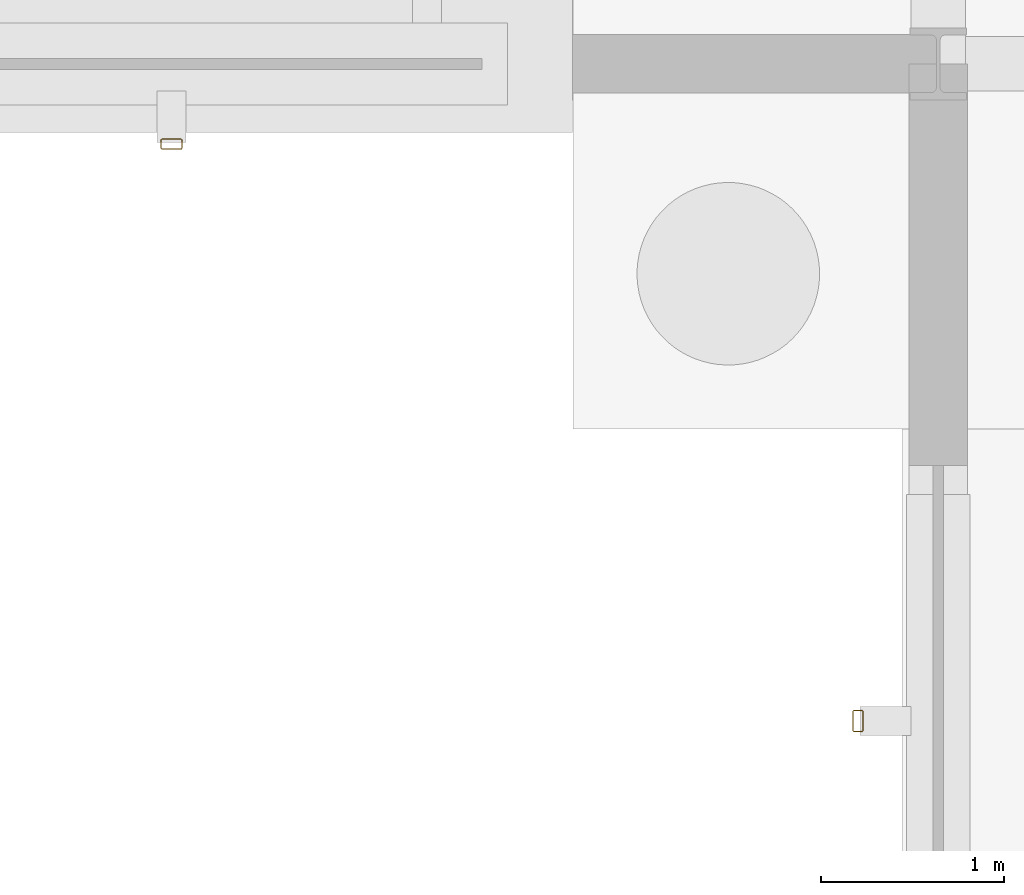
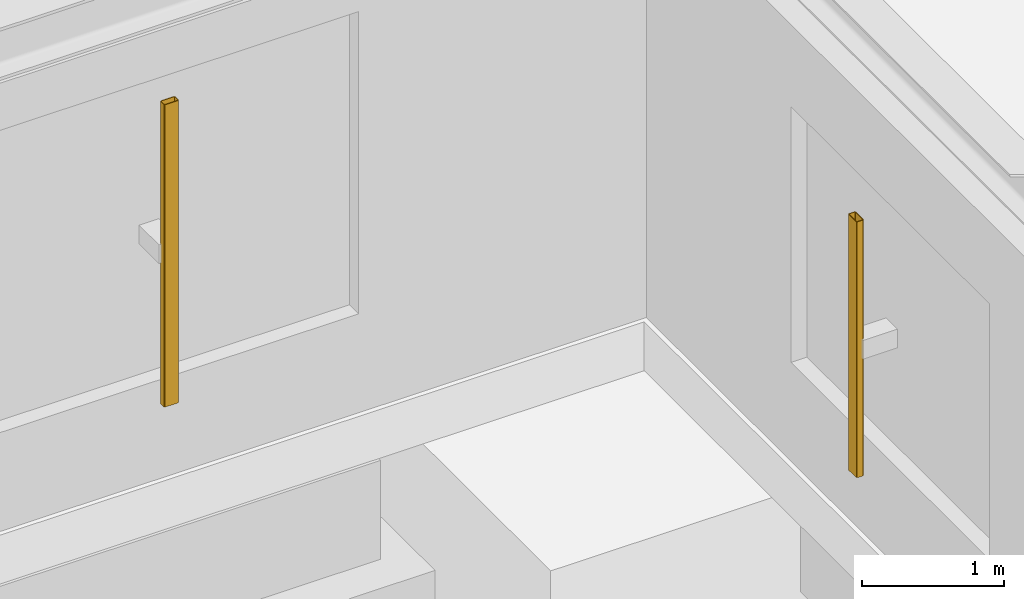
# One storey, part 91 of 93: 2 shading devices.
"""IFC4 building model written with IfcOpenShell, lengths in metres."""

import ifcopenshell
import ifcopenshell.guid

model = None  # the IFC model being written
_history = None  # IfcOwnerHistory: only IFC2X3 demands one
_inside = {}  # id of a spatial element -> (the spatial element, [elements in it])
_under = {}  # id of a project, library or spatial element -> (it, [spatial elements below it])
_declared = {}  # id of a project -> (the project, [libraries it declares])
_typed = {}  # id of a type object -> (the type object, [elements of that type])
_made_of = {}  # id of a material, layer set ... -> (it, [elements and type objects made of it])


def new_model(schema):
    """Start an empty IFC model of exactly this schema.

    Asked for "IFC4X3", IfcOpenShell would pick the latest addendum, in which some entities
    have other attributes; the version numbers below select the first issue.
    IFC2X3 requires an IfcOwnerHistory on every rooted entity: one is made here for all.
    """
    global model, _history
    if schema == "IFC4X3":
        model = ifcopenshell.file(schema_version=(4, 3, 0, 0))
    else:
        model = ifcopenshell.file(schema=schema)
    _inside.clear()
    _under.clear()
    _declared.clear()
    _typed.clear()
    _made_of.clear()
    _history = None
    if model.schema == "IFC2X3":
        org = make("IfcOrganization", Name="unknown")
        user = make(
            "IfcPersonAndOrganization",
            ThePerson=make("IfcPerson", FamilyName="unknown"),
            TheOrganization=org,
        )
        app = make(
            "IfcApplication",
            ApplicationDeveloper=org,
            Version="unknown",
            ApplicationFullName="unknown",
            ApplicationIdentifier="unknown",
        )
        _history = make(
            "IfcOwnerHistory",
            OwningUser=user,
            OwningApplication=app,
            ChangeAction="ADDED",
            CreationDate=0,
        )
    return model


def make(cls, **values):
    """One entity of the class cls with the attributes given. An attribute that is None is left unset."""
    return model.create_entity(
        cls, **{name: value for name, value in values.items() if value is not None}
    )


def rooted(cls, **values):
    """An entity with a GlobalId (a new one), such as an element, a storey or a relation."""
    return make(cls, GlobalId=ifcopenshell.guid.new(), OwnerHistory=_history, **values)


def si_unit(unit_type, name, prefix=None):
    """IfcSIUnit, for example si_unit("LENGTHUNIT", "METRE", prefix="MILLI")."""
    return make("IfcSIUnit", UnitType=unit_type, Prefix=prefix, Name=name)


def derived_unit(unit_type, elements):
    """IfcDerivedUnit: a product of units, each with its exponent."""
    return make(
        "IfcDerivedUnit",
        Elements=[
            make("IfcDerivedUnitElement", Unit=unit, Exponent=power)
            for unit, power in elements
        ],
        UnitType=unit_type,
    )


def assignment(units):
    """IfcUnitAssignment: the units of a project."""
    return None if units is None else make("IfcUnitAssignment", Units=units)


def point(xyz):
    """IfcCartesianPoint."""
    return None if xyz is None else make("IfcCartesianPoint", Coordinates=xyz)


def direction(xyz):
    """IfcDirection."""
    return None if xyz is None else make("IfcDirection", DirectionRatios=xyz)


def frame(location, z_axis=None, x_axis=None):
    """IfcAxis2Placement3D, a coordinate frame: its origin and axes. An axis left out is left unset."""
    return make(
        "IfcAxis2Placement3D",
        Location=point(location),
        Axis=direction(z_axis),
        RefDirection=direction(x_axis),
    )


def frame_2d(location, x_axis=None):
    """IfcAxis2Placement2D, a coordinate frame in the plane: its origin and x axis."""
    return make(
        "IfcAxis2Placement2D", Location=point(location), RefDirection=direction(x_axis)
    )


def origin():
    """The frame at (0, 0, 0) with its axes left unset."""
    return frame((0.0, 0.0, 0.0))


def origin_2d():
    """The frame at (0, 0) in the plane with its x axis left unset."""
    return frame_2d((0.0, 0.0))


def place(relative_to, where):
    """IfcLocalPlacement: puts the frame where relative to a parent placement (None: the world)."""
    return make(
        "IfcLocalPlacement", PlacementRelTo=relative_to, RelativePlacement=where
    )


def context(
    kind, dimensions, precision=None, world=None, true_north=None, identifier=None
):
    """IfcGeometricRepresentationContext, for example the 3D "Model" context."""
    return make(
        "IfcGeometricRepresentationContext",
        ContextIdentifier=identifier,
        ContextType=kind,
        CoordinateSpaceDimension=dimensions,
        Precision=precision,
        WorldCoordinateSystem=world,
        TrueNorth=true_north,
    )


def subcontext(parent, identifier, kind, view, scale=None):
    """IfcGeometricRepresentationSubContext, for example "Body" below "Model"."""
    return make(
        "IfcGeometricRepresentationSubContext",
        ContextIdentifier=identifier,
        ContextType=kind,
        ParentContext=parent,
        TargetScale=scale,
        TargetView=view,
    )


def project(units=None, contexts=None):
    """IfcProject with its units and contexts."""
    return rooted(
        "IfcProject",
        Name="project",
        RepresentationContexts=contexts,
        UnitsInContext=assignment(units),
    )


def spatial(cls, under=None, at=None, **own):
    """A site, building, storey or space (cls), placed at a placement, below another one or the project."""
    s = rooted(cls, ObjectPlacement=at, **own)
    if under is not None:
        _under.setdefault(under.id(), (under, []))[1].append(s)
    return s


def profile(cls, at=None, kind="AREA", **sizes):
    """A parametric profile (cls). Its sizes go by their IFC names, for example OverallWidth=200.0."""
    return make(cls, ProfileType=kind, Position=at, **sizes)


def hollow_rectangle(**sizes):
    """IfcRectangleHollowProfileDef."""
    return profile("IfcRectangleHollowProfileDef", **sizes)


def extrude(swept, where, along, depth):
    """IfcExtrudedAreaSolid: the profile swept, set in the frame where, extruded along a direction by depth."""
    return make(
        "IfcExtrudedAreaSolid",
        SweptArea=swept,
        Position=where,
        ExtrudedDirection=direction(along),
        Depth=depth,
    )


def shape(context_of_items, identifier, shape_type, items):
    """IfcShapeRepresentation: the items that make up one representation, for example the "Body"."""
    return make(
        "IfcShapeRepresentation",
        ContextOfItems=context_of_items,
        RepresentationIdentifier=identifier,
        RepresentationType=shape_type,
        Items=items,
    )


def material(Name=None, Category=None):
    """IfcMaterial."""
    return make("IfcMaterial", Name=Name, Category=Category)


def material_profile(
    of_material, cross_section, Name=None, Category=None, Priority=None
):
    """IfcMaterialProfile: a cross section and its material."""
    return make(
        "IfcMaterialProfile",
        Name=Name,
        Material=of_material,
        Profile=cross_section,
        Priority=Priority,
        Category=Category,
    )


def profile_set(profiles, Name=None, composite=None):
    """IfcMaterialProfileSet."""
    return make(
        "IfcMaterialProfileSet",
        Name=Name,
        MaterialProfiles=profiles,
        CompositeProfile=composite,
    )


def made_of(thing, what):
    """Note that an element or type object is made of a material, layer set ...; save() writes the relation."""
    if what is not None:
        _made_of.setdefault(what.id(), (what, []))[1].append(thing)
    return thing


def type_object(cls, material=None, **own):
    """A type object (cls), such as IfcWallType, which elements share."""
    return made_of(rooted(cls, **own), material)


def element(
    cls,
    number,
    at=None,
    inside=None,
    cuts=None,
    type_object=None,
    material=None,
    context=None,
    identifier="Body",
    shape_type=None,
    held_by="IfcProductDefinitionShape",
    body=None,
    shapes=None,
    **own,
):
    """One element of the class cls, such as IfcWall. Its Tag is "e" and its number.

    at: its placement. inside: the storey or other place that contains it. cuts: it is an
    opening in that element (IfcRelVoidsElement). A single representation is given by context,
    identifier, shape_type and body (its items); several are given by shapes. held_by: the class
    of the entity that holds the representations. save() writes the other relations.
    """
    e = rooted(cls, Tag="e%d" % number, ObjectPlacement=at, **own)
    if body is not None:
        shapes = [shape(context, identifier, shape_type, body)]
    if shapes is not None:
        e.Representation = make(held_by, Representations=shapes)
    if inside is not None:
        _inside.setdefault(inside.id(), (inside, []))[1].append(e)
    if cuts is not None:
        rooted(
            "IfcRelVoidsElement", RelatingBuildingElement=cuts, RelatedOpeningElement=e
        )
    if type_object is not None:
        _typed.setdefault(type_object.id(), (type_object, []))[1].append(e)
    return made_of(e, material)


def aggregate(whole, parts):
    """IfcRelAggregates: a whole, such as a stair, and the parts it consists of."""
    return rooted("IfcRelAggregates", RelatingObject=whole, RelatedObjects=parts)


def save(model, path):
    """Write the relations noted so far, then the file.

    IfcRelAggregates (storeys below a building ...), IfcRelContainedInSpatialStructure (elements
    in a storey), IfcRelDefinesByType, IfcRelAssociatesMaterial and IfcRelDeclares: one each for
    every whole, place, type object, material and project.
    """
    for whole, parts in _under.values():
        aggregate(whole, parts)
    for where, things in _inside.values():
        rooted(
            "IfcRelContainedInSpatialStructure",
            RelatedElements=things,
            RelatingStructure=where,
        )
    for kind, things in _typed.values():
        rooted("IfcRelDefinesByType", RelatedObjects=things, RelatingType=kind)
    for what, things in _made_of.values():
        rooted("IfcRelAssociatesMaterial", RelatedObjects=things, RelatingMaterial=what)
    for by, libraries in _declared.values():
        rooted("IfcRelDeclares", RelatingContext=by, RelatedDefinitions=libraries)
    model.write(path)


model = new_model("IFC4")

# Units and contexts
model_context = context("Model", 3, precision=1e-05, world=origin(), true_north=direction((0.0, 1.0)))
body_context = subcontext(model_context, "Body", "Model", "MODEL_VIEW")
ifc_project = project(units=[si_unit("LENGTHUNIT", "METRE"), si_unit("AREAUNIT", "SQUARE_METRE"), si_unit("VOLUMEUNIT", "CUBIC_METRE"), si_unit("PLANEANGLEUNIT", "RADIAN"), si_unit("MASSUNIT", "GRAM", prefix="KILO"), derived_unit("THERMALTRANSMITTANCEUNIT", [(si_unit("MASSUNIT", "GRAM", prefix="KILO"), 1), (si_unit("TIMEUNIT", "SECOND"), -3), (si_unit("THERMODYNAMICTEMPERATUREUNIT", "KELVIN"), -1)])], contexts=[model_context])

# Site, building, storey
site_placement = place(None, origin())
site = spatial("IfcSite", under=ifc_project, at=site_placement, CompositionType="ELEMENT")
building_placement = place(site_placement, origin())
building = spatial("IfcBuilding", under=site, at=building_placement, Name="Kharveza Railside Sports Centre", CompositionType="ELEMENT")
storey_placement = place(building_placement, origin())
storey = spatial("IfcBuildingStorey", under=building, at=storey_placement, Name="L00", CompositionType="ELEMENT", Elevation=0.0)

# Shading devices
ifc_material = material(Name="Anodised aluminium 6063-T6", Category="aluminium")
ifc_material_profile = material_profile(ifc_material, hollow_rectangle(XDim=0.06005859375, YDim=0.1201171875, WallThickness=0.0048828125, InnerFilletRadius=0.0048828125, OuterFilletRadius=0.010009765625, at=origin_2d()), Name="RHS 60x120x5.0")
ifc_profile_set = profile_set([ifc_material_profile], Name="Anodised aluminium 6063-T6")
shading_device_type = type_object("IfcShadingDeviceType", Name="SD-LV01", PredefinedType="JALOUSIE", material=ifc_profile_set)
shading_device_1_placement = place(storey_placement, frame((138.60009765625, 71.56005859375, 0.85009765625), z_axis=(0.0, 0.0, 1.0), x_axis=(0.0, -1.0, 0.0)))
element("IfcShadingDevice", 1, at=shading_device_1_placement, inside=storey, type_object=shading_device_type, Name="SD-FIN-002", PredefinedType="JALOUSIE", context=body_context, shape_type="SweptSolid", body=[
    extrude(hollow_rectangle(XDim=0.06005859375, YDim=0.1201171875, WallThickness=0.0048828125, InnerFilletRadius=0.0048828125, OuterFilletRadius=0.010009765625, at=origin_2d()), origin(), (0.0, 0.0, 1.0), 2.599853515625),
])
shading_device_2_placement = place(storey_placement, frame((142.360107421875, 68.39990234375, 0.85009765625), z_axis=(0.0, 0.0, 1.0), x_axis=(-1.0, 0.0, 0.0)))
element("IfcShadingDevice", 2, at=shading_device_2_placement, inside=storey, type_object=shading_device_type, Name="SD-FIN-003", PredefinedType="JALOUSIE", context=body_context, shape_type="SweptSolid", body=[
    extrude(hollow_rectangle(XDim=0.06005859375, YDim=0.1201171875, WallThickness=0.0048828125, InnerFilletRadius=0.0048828125, OuterFilletRadius=0.010009765625, at=origin_2d()), origin(), (0.0, 0.0, 1.0), 2.199951171875),
])

save(model, "model.ifc")
